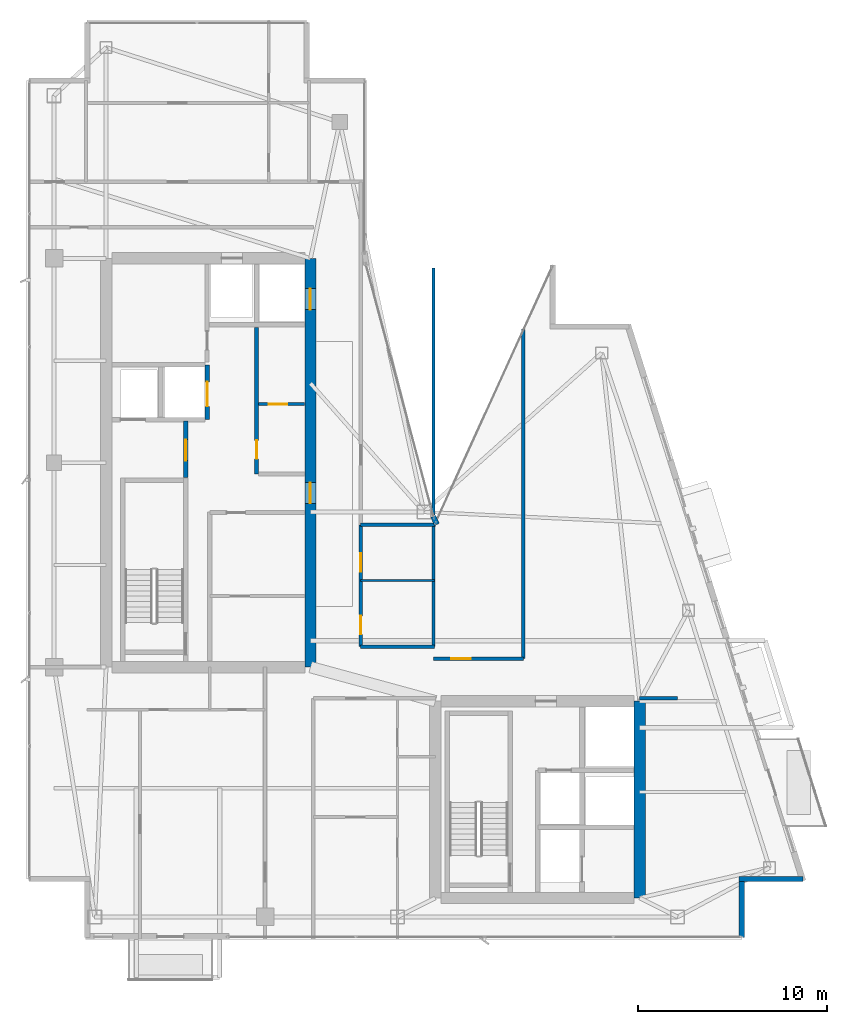
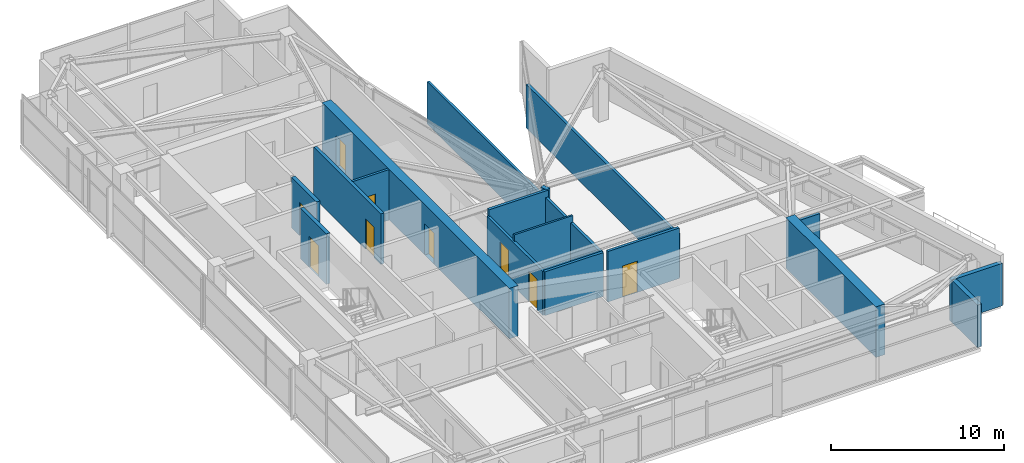
# One storey, part 23 of 27: 18 walls, 9 doors, 9 openings.
"""IFC4 building model written with IfcOpenShell, lengths in metres."""

from ifc_helpers import new_model, si_unit, direction, frame, frame_2d, origin, place, context, subcontext, project, spatial, rectangle, extrude, material, layer, layer_set, type_object, element, fill, save


model = new_model("IFC4")

# Units and contexts
model_context = context("Model", 3, precision=1e-05, world=origin(), true_north=direction((0.0, 1.0)))
body_context = subcontext(model_context, "Body", "Model", "MODEL_VIEW")
ifc_project = project(units=[si_unit("LENGTHUNIT", "METRE"), si_unit("AREAUNIT", "SQUARE_METRE"), si_unit("VOLUMEUNIT", "CUBIC_METRE"), si_unit("PLANEANGLEUNIT", "RADIAN"), si_unit("MASSUNIT", "GRAM", prefix="KILO")], contexts=[model_context])

# Site, building, storey
site_placement = place(None, origin())
site = spatial("IfcSite", under=ifc_project, at=site_placement, CompositionType="ELEMENT")
building_placement = place(site_placement, origin())
building = spatial("IfcBuilding", under=site, at=building_placement, Name="Calvorn Quay Hotel", CompositionType="ELEMENT")
storey_placement = place(building_placement, frame((0.0, 0.0, 291.10009765625)))
storey = spatial("IfcBuildingStorey", under=building, at=storey_placement, Name="L72", CompositionType="ELEMENT", Elevation=291.10009765625)

# Wall, openings, doors
ifc_material_1 = material(Name="Concrete C45", Category="concrete")
ifc_layer_1 = layer(ifc_material_1, 0.60009765625)
ifc_layer_set_1 = layer_set([ifc_layer_1], Name="WL-CORE-600")
wall_type_1 = type_object("IfcWallType", Name="WL-CORE-600", PredefinedType="SHEAR", material=ifc_layer_set_1)
wall_1_placement = place(storey_placement, frame((15.0, 16.800048828125, 0.0), z_axis=(0.0, 0.0, 1.0), x_axis=(0.0, 1.0, 0.0)))
wall_1 = element("IfcWall", 1, at=wall_1_placement, inside=storey, type_object=wall_type_1, Name="West Core Shear Wall E (L72)", PredefinedType="SHEAR", context=body_context, shape_type="SweptSolid", body=[
    extrude(rectangle(XDim=21.599853515625, YDim=0.60009765625, at=frame_2d((10.7998046875, 0.0))), origin(), (0.0, 0.0, 1.0), 3.559814453125),
])
opening_1_placement = place(wall_1_placement, frame((8.64990234375, 0.0, 0.0)))
opening_1 = element("IfcOpeningElement", 2, at=opening_1_placement, cuts=wall_1, Name="Opening D-L72-CW1", PredefinedType="OPENING", context=body_context, shape_type="SweptSolid", body=[
    extrude(rectangle(XDim=1.10009765625, YDim=2.199951171875, at=frame_2d((0.550048828125, 1.10009765625))), frame((0.0, 0.31005859375, 0.0), z_axis=(0.0, -1.0, 0.0), x_axis=(1.0, 0.0, 0.0)), (0.0, 0.0, 1.0), 0.6201171875),
])
opening_2_placement = place(wall_1_placement, frame((18.89990234375, 0.0, 0.0)))
opening_2 = element("IfcOpeningElement", 3, at=opening_2_placement, cuts=wall_1, Name="Opening LD-L72-H1", PredefinedType="OPENING", context=body_context, shape_type="SweptSolid", body=[
    extrude(rectangle(XDim=1.10009765625, YDim=2.199951171875, at=frame_2d((0.550048828125, 1.10009765625))), frame((0.0, 0.31005859375, 0.0), z_axis=(0.0, -1.0, 0.0), x_axis=(1.0, 0.0, 0.0)), (0.0, 0.0, 1.0), 0.6201171875),
])
ifc_material_2 = material(Name="Smoke-Sealed Steel Class A Fire Door", Category="steel")
door_type_1 = type_object("IfcDoorType", Name="DR-FFLOBBY-1100", OperationType="NOTDEFINED", PredefinedType="DOOR", material=ifc_material_2)
door_1_placement = place(opening_1_placement, origin())
door_1 = element("IfcDoor", 4, at=door_1_placement, inside=storey, type_object=door_type_1, Name="West Core Vestibule Fire Door (L72)", OperationType="SINGLE_SWING_LEFT", OverallHeight=2.199951171875, OverallWidth=1.10009765625, PredefinedType="DOOR", context=body_context, shape_type="SweptSolid", body=[
    extrude(rectangle(XDim=1.10009765625, YDim=2.199951171875, at=frame_2d((0.550048828125, 1.10009765625))), frame((0.0, 0.02490234375, 0.0), z_axis=(0.0, -1.0, 0.0), x_axis=(1.0, 0.0, 0.0)), (0.0, 0.0, 1.0), 0.050048828125),
])
fill(opening_1, door_1)
ifc_material_3 = material(Name="Brushed Stainless Steel Sliding Lift Landing Door", Category="steel")
door_type_2 = type_object("IfcDoorType", Name="DR-LIFT-PASS-1100", OperationType="NOTDEFINED", PredefinedType="DOOR", material=ifc_material_3)
door_2_placement = place(opening_2_placement, origin())
door_2 = element("IfcDoor", 5, at=door_2_placement, inside=storey, type_object=door_type_2, Name="High-Rise Lift PL-H1 Landing Door (L72)", OperationType="DOUBLE_DOOR_SLIDING", OverallHeight=2.199951171875, OverallWidth=1.10009765625, PredefinedType="DOOR", context=body_context, shape_type="SweptSolid", body=[
    extrude(rectangle(XDim=1.10009765625, YDim=2.199951171875, at=frame_2d((0.550048828125, 1.10009765625))), frame((0.0, 0.02490234375, 0.0), z_axis=(0.0, -1.0, 0.0), x_axis=(1.0, 0.0, 0.0)), (0.0, 0.0, 1.0), 0.050048828125),
])
fill(opening_2, door_2)

# Walls
wall_2_placement = place(storey_placement, frame((32.39990234375, 4.60009765625, 0.0), z_axis=(0.0, 0.0, 1.0), x_axis=(0.0, 1.0, 0.0)))
element("IfcWall", 6, at=wall_2_placement, inside=storey, type_object=wall_type_1, Name="East Core Shear Wall E (L72)", PredefinedType="SHEAR", context=body_context, shape_type="SweptSolid", body=[
    extrude(rectangle(XDim=10.39990234375, YDim=0.60009765625, at=frame_2d((5.199951171875, 0.0))), origin(), (0.0, 0.0, 1.0), 3.559814453125),
])
ifc_material_4 = material(Name="Acoustic Fireboard Steel-Stud Partition", Category="steel")
ifc_layer_2 = layer(ifc_material_4, 0.179931640625)
ifc_layer_set_2 = layer_set([ifc_layer_2], Name="WL-CORR-FIRE-180")
wall_type_2 = type_object("IfcWallType", Name="WL-CORR-FIRE-180", PredefinedType="PARTITIONING", material=ifc_layer_set_2)
wall_3_placement = place(storey_placement, frame((17.64990234375, 17.8798828125, 0.0), z_axis=(0.0, 0.0, 1.0), x_axis=(1.0, 0.0, 0.0)))
element("IfcWall", 7, at=wall_3_placement, inside=storey, type_object=wall_type_2, Name="Partition Wall L72-WL-HK-S", PredefinedType="PARTITIONING", context=body_context, shape_type="SweptSolid", body=[
    extrude(rectangle(XDim=3.900146484375, YDim=0.179931640625, at=frame_2d((1.9501953125, 0.0))), origin(), (0.0, 0.0, 1.0), 3.08984375),
])
wall_4_placement = place(storey_placement, frame((17.64990234375, 24.320068359375, 0.0), z_axis=(0.0, 0.0, 1.0), x_axis=(1.0, 0.0, 0.0)))
element("IfcWall", 8, at=wall_4_placement, inside=storey, type_object=wall_type_2, Name="Partition Wall L72-WL-HK-N", PredefinedType="PARTITIONING", context=body_context, shape_type="SweptSolid", body=[
    extrude(rectangle(XDim=3.9501953125, YDim=0.179931640625, at=frame_2d((1.97509765625, 0.0))), origin(), (0.0, 0.0, 1.0), 3.559814453125),
])
wall_5_placement = place(storey_placement, frame((21.5, 17.8798828125, 0.0), z_axis=(0.0, 0.0, 1.0), x_axis=(0.0, 1.0, 0.0)))
element("IfcWall", 9, at=wall_5_placement, inside=storey, type_object=wall_type_2, Name="Partition Wall L72-WL-HK-E", PredefinedType="PARTITIONING", context=body_context, shape_type="SweptSolid", body=[
    extrude(rectangle(XDim=6.440185546875, YDim=0.179931640625, at=frame_2d((3.22021484375, 0.0))), origin(), (0.0, 0.0, 1.0), 3.08984375),
])

# Wall, openings, doors
wall_6_placement = place(storey_placement, frame((17.64990234375, 17.8798828125, 0.0), z_axis=(0.0, 0.0, 1.0), x_axis=(0.0, 1.0, 0.0)))
wall_6 = element("IfcWall", 10, at=wall_6_placement, inside=storey, type_object=wall_type_2, Name="Partition Wall L72-WL-HK-W", PredefinedType="PARTITIONING", context=body_context, shape_type="SweptSolid", body=[
    extrude(rectangle(XDim=6.440185546875, YDim=0.179931640625, at=frame_2d((3.22021484375, 0.0))), origin(), (0.0, 0.0, 1.0), 3.08984375),
])
opening_3_placement = place(wall_6_placement, frame((0.64990234375, 0.0, 0.0)))
opening_3 = element("IfcOpeningElement", 11, at=opening_3_placement, cuts=wall_6, Name="Opening D-L72-HK", PredefinedType="OPENING", context=body_context, shape_type="SweptSolid", body=[
    extrude(rectangle(XDim=0.97998046875, YDim=2.14990234375, at=frame_2d((0.489990234375, 1.074951171875))), frame((0.0, 0.099853515625, 0.0), z_axis=(0.0, -1.0, 0.0), x_axis=(1.0, 0.0, 0.0)), (0.0, 0.0, 1.0), 0.199951171875),
])
opening_4_placement = place(wall_6_placement, frame((3.969970703125, 0.0, 0.0)))
opening_4 = element("IfcOpeningElement", 12, at=opening_4_placement, cuts=wall_6, Name="Opening D-L72-NCP", PredefinedType="OPENING", context=body_context, shape_type="SweptSolid", body=[
    extrude(rectangle(XDim=0.9599609375, YDim=2.199951171875, at=frame_2d((0.47998046875, 1.10009765625))), frame((0.0, 0.099853515625, 0.0), z_axis=(0.0, -1.0, 0.0), x_axis=(1.0, 0.0, 0.0)), (0.0, 0.0, 1.0), 0.199951171875),
])
ifc_material_5 = material(Name="Painted Steel Housekeeping/Riser Fire Door", Category="steel")
door_type_3 = type_object("IfcDoorType", Name="DR-SERVICE-980", OperationType="NOTDEFINED", PredefinedType="DOOR", material=ifc_material_5)
door_3_placement = place(opening_3_placement, origin())
door_3 = element("IfcDoor", 13, at=door_3_placement, inside=storey, type_object=door_type_3, Name="Floor Housekeeping Door (L72)", OperationType="SINGLE_SWING_LEFT", OverallHeight=2.14990234375, OverallWidth=0.97998046875, PredefinedType="DOOR", context=body_context, shape_type="SweptSolid", body=[
    extrude(rectangle(XDim=0.97998046875, YDim=2.14990234375, at=frame_2d((0.489990234375, 1.074951171875))), frame((0.0, 0.02490234375, 0.0), z_axis=(0.0, -1.0, 0.0), x_axis=(1.0, 0.0, 0.0)), (0.0, 0.0, 1.0), 0.050048828125),
])
fill(opening_3, door_3)
ifc_material_6 = material(Name="Solid Timber Internal Suite Door", Category="wood")
door_type_4 = type_object("IfcDoorType", Name="DR-SUITE-INT-960", OperationType="NOTDEFINED", PredefinedType="DOOR", material=ifc_material_6)
door_4_placement = place(opening_4_placement, origin())
door_4 = element("IfcDoor", 14, at=door_4_placement, inside=storey, type_object=door_type_4, Name="Reading Alcove Door (L72)", OperationType="SINGLE_SWING_RIGHT", OverallHeight=2.199951171875, OverallWidth=0.9599609375, PredefinedType="DOOR", context=body_context, shape_type="SweptSolid", body=[
    extrude(rectangle(XDim=0.9599609375, YDim=2.199951171875, at=frame_2d((0.47998046875, 1.10009765625))), frame((0.0, 0.02490234375, 0.0), z_axis=(0.0, -1.0, 0.0), x_axis=(1.0, 0.0, 0.0)), (0.0, 0.0, 1.0), 0.050048828125),
])
fill(opening_4, door_4)

# Wall
wall_7_placement = place(storey_placement, frame((32.39990234375, 15.14990234375, 0.0), z_axis=(0.0, 0.0, 1.0), x_axis=(1.0, 0.0, 0.0)))
element("IfcWall", 15, at=wall_7_placement, inside=storey, type_object=wall_type_2, Name="Partition Wall L72-WL-CORR-SE-S", PredefinedType="PARTITIONING", context=body_context, shape_type="SweptSolid", body=[
    extrude(rectangle(XDim=2.0, YDim=0.179931640625, at=frame_2d((1.0, 0.0))), origin(), (0.0, 0.0, 1.0), 2.989990234375),
])

# Wall, opening, door
wall_8_placement = place(storey_placement, frame((21.5, 17.25, 0.0), z_axis=(0.0, 0.0, 1.0), x_axis=(1.0, 0.0, 0.0)))
wall_8 = element("IfcWall", 16, at=wall_8_placement, inside=storey, type_object=wall_type_2, Name="Partition Wall L72-WL-CORR-NE-N", PredefinedType="PARTITIONING", context=body_context, shape_type="SweptSolid", body=[
    extrude(rectangle(XDim=4.75, YDim=0.179931640625, at=frame_2d((2.375, 0.0))), origin(), (0.0, 0.0, 1.0), 3.559814453125),
])
opening_5_placement = place(wall_8_placement, frame((0.949951171875, 0.0, 0.0)))
opening_5 = element("IfcOpeningElement", 17, at=opening_5_placement, cuts=wall_8, Name="Opening D-L72-NS1", PredefinedType="OPENING", context=body_context, shape_type="SweptSolid", body=[
    extrude(rectangle(XDim=1.02001953125, YDim=2.199951171875, at=frame_2d((0.510009765625, 1.10009765625))), frame((0.0, 0.099853515625, 0.0), z_axis=(0.0, -1.0, 0.0), x_axis=(1.0, 0.0, 0.0)), (0.0, 0.0, 1.0), 0.199951171875),
])
ifc_material_7 = material(Name="Solid-Core Walnut Veneer Hotel Fire Door")
door_type_5 = type_object("IfcDoorType", Name="DR-GUEST-ENTRY-1020", OperationType="NOTDEFINED", PredefinedType="DOOR", material=ifc_material_7)
door_5_placement = place(opening_5_placement, origin())
door_5 = element("IfcDoor", 18, at=door_5_placement, inside=storey, type_object=door_type_5, Name="Conservatory Salon Door 1 (L72)", OperationType="SINGLE_SWING_RIGHT", OverallHeight=2.199951171875, OverallWidth=1.02001953125, PredefinedType="DOOR", context=body_context, shape_type="SweptSolid", body=[
    extrude(rectangle(XDim=1.02001953125, YDim=2.199951171875, at=frame_2d((0.510009765625, 1.10009765625))), frame((0.0, 0.02490234375, 0.0), z_axis=(0.0, -1.0, 0.0), x_axis=(1.0, 0.0, 0.0)), (0.0, 0.0, 1.0), 0.050048828125),
])
fill(opening_5, door_5)

# Walls
wall_9_placement = place(storey_placement, frame((26.25, 17.25, 0.0), z_axis=(0.0, 0.0, 1.0), x_axis=(0.0, 1.0, 0.0)))
element("IfcWall", 19, at=wall_9_placement, inside=storey, type_object=wall_type_2, Name="Partition Wall L72-WL-NE-END-E", PredefinedType="PARTITIONING", context=body_context, shape_type="SweptSolid", body=[
    extrude(rectangle(XDim=17.429931640625, YDim=0.179931640625, at=frame_2d((8.71484375, 0.0))), origin(), (0.0, 0.0, 1.0), 3.08984375),
])
ifc_material_8 = material(Name="Moisture-Resistant Tile-Backed Partition")
ifc_layer_3 = layer(ifc_material_8, 0.125)
ifc_layer_set_3 = layer_set([ifc_layer_3], Name="WL-ENSUITE-125")
wall_type_3 = type_object("IfcWallType", Name="WL-ENSUITE-125", PredefinedType="PARTITIONING", material=ifc_layer_set_3)
wall_10_placement = place(storey_placement, frame((17.64990234375, 21.3798828125, 0.0), z_axis=(0.0, 0.0, 1.0), x_axis=(1.0, 0.0, 0.0)))
element("IfcWall", 20, at=wall_10_placement, inside=storey, type_object=wall_type_3, Name="Partition Wall L72-WL-HK-M", PredefinedType="PARTITIONING", context=body_context, shape_type="SweptSolid", body=[
    extrude(rectangle(XDim=3.900146484375, YDim=0.125, at=frame_2d((1.9501953125, 0.0))), origin(), (0.0, 0.0, 1.0), 3.559814453125),
])
ifc_material_9 = material(Name="Concrete C40", Category="concrete")
ifc_layer_4 = layer(ifc_material_9, 0.320068359375)
ifc_layer_set_4 = layer_set([ifc_layer_4], Name="WL-EXT-SPANDREL-320")
wall_type_4 = type_object("IfcWallType", Name="WL-EXT-SPANDREL-320", PredefinedType="SOLIDWALL", material=ifc_layer_set_4)
wall_11_placement = place(storey_placement, frame((21.679931640625, 24.340087890625, 0.0), z_axis=(0.0, 0.0, 1.0), x_axis=(-0.40758134973, 0.913168901875, 0.0)))
element("IfcWall", 21, at=wall_11_placement, inside=storey, type_object=wall_type_4, Name="Inner Court Corner Pier L72-ICJ1", PredefinedType="SOLIDWALL", context=body_context, shape_type="SweptSolid", body=[
    extrude(rectangle(XDim=0.470703125, YDim=0.280029296875, at=frame_2d((0.2353515625, 0.0))), origin(), (0.0, 0.0, 1.0), 3.559814453125),
])
wall_12_placement = place(storey_placement, frame((37.800048828125, 2.52001953125, 0.0), z_axis=(0.0, 0.0, 1.0), x_axis=(0.0, 1.0, 0.0)))
element("IfcWall", 22, at=wall_12_placement, inside=storey, type_object=wall_type_4, Name="Notched Corner Spandrel L72-SE1", PredefinedType="SOLIDWALL", context=body_context, shape_type="SweptSolid", body=[
    extrude(rectangle(XDim=2.93994140625, YDim=0.280029296875, at=frame_2d((1.469970703125, 0.0))), origin(), (0.0, 0.0, 1.0), 2.989990234375),
])
wall_13_placement = place(storey_placement, frame((37.659912109375, 5.60009765625, 0.0), z_axis=(0.0, 0.0, 1.0), x_axis=(1.0, 0.0, 0.0)))
element("IfcWall", 23, at=wall_13_placement, inside=storey, type_object=wall_type_4, Name="Notched Corner Spandrel L72-SE2", PredefinedType="SOLIDWALL", context=body_context, shape_type="SweptSolid", body=[
    extrude(rectangle(XDim=3.380126953125, YDim=0.280029296875, at=frame_2d((1.68994140625, 0.0))), origin(), (0.0, 0.0, 1.0), 2.989990234375),
])

# Wall, opening, door
ifc_material_10 = material(Name="Double-Stud Acoustic Gypsum Partition")
ifc_layer_5 = layer(ifc_material_10, 0.159912109375)
ifc_layer_set_5 = layer_set([ifc_layer_5], Name="WL-INTERSUITE-160")
wall_type_5 = type_object("IfcWallType", Name="WL-INTERSUITE-160", PredefinedType="PARTITIONING", material=ifc_layer_set_5)
wall_14_placement = place(storey_placement, frame((12.25, 30.699951171875, 0.0), z_axis=(0.0, 0.0, 1.0), x_axis=(1.0, 0.0, 0.0)))
wall_14 = element("IfcWall", 24, at=wall_14_placement, inside=storey, type_object=wall_type_5, Name="Partition Wall L72-WL-CWW-FM-SPLIT", PredefinedType="PARTITIONING", context=body_context, shape_type="SweptSolid", body=[
    extrude(rectangle(XDim=2.429931640625, YDim=0.159912109375, at=frame_2d((1.21484375, 0.0))), origin(), (0.0, 0.0, 1.0), 3.559814453125),
])
opening_6_placement = place(wall_14_placement, frame((0.550048828125, 0.0, 0.0)))
opening_6 = element("IfcOpeningElement", 25, at=opening_6_placement, cuts=wall_14, Name="Opening D-L72-FM2", PredefinedType="OPENING", context=body_context, shape_type="SweptSolid", body=[
    extrude(rectangle(XDim=0.97998046875, YDim=2.14990234375, at=frame_2d((0.489990234375, 1.074951171875))), frame((0.0, 0.08984375, 0.0), z_axis=(0.0, -1.0, 0.0), x_axis=(1.0, 0.0, 0.0)), (0.0, 0.0, 1.0), 0.179931640625),
])
door_6_placement = place(opening_6_placement, origin())
door_6 = element("IfcDoor", 26, at=door_6_placement, inside=storey, type_object=door_type_3, Name="Comms Room Door (L72)", OperationType="SINGLE_SWING_LEFT", OverallHeight=2.14990234375, OverallWidth=0.97998046875, PredefinedType="DOOR", context=body_context, shape_type="SweptSolid", body=[
    extrude(rectangle(XDim=0.97998046875, YDim=2.14990234375, at=frame_2d((0.489990234375, 1.074951171875))), frame((0.0, 0.02490234375, 0.0), z_axis=(0.0, -1.0, 0.0), x_axis=(1.0, 0.0, 0.0)), (0.0, 0.0, 1.0), 0.050048828125),
])
fill(opening_6, door_6)

# Wall
wall_15_placement = place(storey_placement, frame((21.5, 24.85009765625, 0.0), z_axis=(0.0, 0.0, 1.0), x_axis=(0.0, 1.0, 0.0)))
element("IfcWall", 27, at=wall_15_placement, inside=storey, type_object=wall_type_5, Name="Partition Wall L72-WL-NC-UPPER-E", PredefinedType="PARTITIONING", context=body_context, shape_type="SweptSolid", body=[
    extrude(rectangle(XDim=13.0498046875, YDim=0.159912109375, at=frame_2d((6.52490234375, 0.0))), origin(), (0.0, 0.0, 1.0), 2.989990234375),
])

# Wall, opening, door
ifc_material_11 = material(Name="Autoclaved Aerated Masonry Block", Category="masonry")
ifc_layer_6 = layer(ifc_material_11, 0.219970703125)
ifc_layer_set_6 = layer_set([ifc_layer_6], Name="WL-LOBBY-FIRE-220")
wall_type_6 = type_object("IfcWallType", Name="WL-LOBBY-FIRE-220", PredefinedType="SOLIDWALL", material=ifc_layer_set_6)
wall_16_placement = place(storey_placement, frame((12.14990234375, 27.0, 0.0), z_axis=(0.0, 0.0, 1.0), x_axis=(0.0, 1.0, 0.0)))
wall_16 = element("IfcWall", 28, at=wall_16_placement, inside=storey, type_object=wall_type_6, Name="Partition Wall L72-WL-CWW-FM-W", PredefinedType="SOLIDWALL", context=body_context, shape_type="SweptSolid", body=[
    extrude(rectangle(XDim=7.75, YDim=0.219970703125, at=frame_2d((3.875, 0.0))), origin(), (0.0, 0.0, 1.0), 3.559814453125),
])
opening_7_placement = place(wall_16_placement, frame((0.800048828125, 0.0, 0.0)))
opening_7 = element("IfcOpeningElement", 29, at=opening_7_placement, cuts=wall_16, Name="Opening D-L72-FM1", PredefinedType="OPENING", context=body_context, shape_type="SweptSolid", body=[
    extrude(rectangle(XDim=0.97998046875, YDim=2.14990234375, at=frame_2d((0.489990234375, 1.074951171875))), frame((0.0, 0.119873046875, 0.0), z_axis=(0.0, -1.0, 0.0), x_axis=(1.0, 0.0, 0.0)), (0.0, 0.0, 1.0), 0.239990234375),
])
door_7_placement = place(opening_7_placement, origin())
door_7 = element("IfcDoor", 30, at=door_7_placement, inside=storey, type_object=door_type_3, Name="Butler Pantry Door (L72)", OperationType="SINGLE_SWING_RIGHT", OverallHeight=2.14990234375, OverallWidth=0.97998046875, PredefinedType="DOOR", context=body_context, shape_type="SweptSolid", body=[
    extrude(rectangle(XDim=0.97998046875, YDim=2.14990234375, at=frame_2d((0.489990234375, 1.074951171875))), frame((0.0, 0.02490234375, 0.0), z_axis=(0.0, -1.0, 0.0), x_axis=(1.0, 0.0, 0.0)), (0.0, 0.0, 1.0), 0.050048828125),
])
fill(opening_7, door_7)

ifc_material_12 = material(Name="Concrete C40", Category="concrete")
ifc_layer_7 = layer(ifc_material_12, 0.239990234375)
ifc_layer_set_7 = layer_set([ifc_layer_7], Name="WL-SHAFT-240")
wall_type_7 = type_object("IfcWallType", Name="WL-SHAFT-240", PredefinedType="SOLIDWALL", material=ifc_layer_set_7)
wall_17_placement = place(storey_placement, frame((8.419921875, 26.820068359375, 0.0), z_axis=(0.0, 0.0, 1.0), x_axis=(0.0, 1.0, 0.0)))
wall_17 = element("IfcWall", 31, at=wall_17_placement, inside=storey, type_object=wall_type_7, Name="Partition Wall L72-WL-CWW-FFL-E", PredefinedType="SOLIDWALL", context=body_context, shape_type="SweptSolid", body=[
    extrude(rectangle(XDim=3.0, YDim=0.239990234375, at=frame_2d((1.5, 0.0))), origin(), (0.0, 0.0, 1.0), 3.559814453125),
])
opening_8_placement = place(wall_17_placement, frame((0.89990234375, 0.0, 0.0)))
opening_8 = element("IfcOpeningElement", 32, at=opening_8_placement, cuts=wall_17, Name="Opening D-L72-FLW", PredefinedType="OPENING", context=body_context, shape_type="SweptSolid", body=[
    extrude(rectangle(XDim=1.10009765625, YDim=2.199951171875, at=frame_2d((0.550048828125, 1.10009765625))), frame((0.0, 0.1298828125, 0.0), z_axis=(0.0, -1.0, 0.0), x_axis=(1.0, 0.0, 0.0)), (0.0, 0.0, 1.0), 0.260009765625),
])
door_8_placement = place(opening_8_placement, origin())
door_8 = element("IfcDoor", 33, at=door_8_placement, inside=storey, type_object=door_type_1, Name="West Firefighting Lobby Fire Door (L72)", OperationType="SINGLE_SWING_RIGHT", OverallHeight=2.199951171875, OverallWidth=1.10009765625, PredefinedType="DOOR", context=body_context, shape_type="SweptSolid", body=[
    extrude(rectangle(XDim=1.10009765625, YDim=2.199951171875, at=frame_2d((0.550048828125, 1.10009765625))), frame((0.0, 0.02490234375, 0.0), z_axis=(0.0, -1.0, 0.0), x_axis=(1.0, 0.0, 0.0)), (0.0, 0.0, 1.0), 0.050048828125),
])
fill(opening_8, door_8)

wall_18_placement = place(storey_placement, frame((9.5400390625, 29.8798828125, 0.0), z_axis=(0.0, 0.0, 1.0), x_axis=(0.0, 1.0, 0.0)))
wall_18 = element("IfcWall", 34, at=wall_18_placement, inside=storey, type_object=wall_type_7, Name="Partition Wall L72-WL-CWW-SLW-E", PredefinedType="SOLIDWALL", context=body_context, shape_type="SweptSolid", body=[
    extrude(rectangle(XDim=2.900146484375, YDim=0.239990234375, at=frame_2d((1.4501953125, 0.0))), origin(), (0.0, 0.0, 1.0), 3.559814453125),
])
opening_9_placement = place(wall_18_placement, frame((0.699951171875, 0.0, 0.0)))
opening_9 = element("IfcOpeningElement", 35, at=opening_9_placement, cuts=wall_18, Name="Opening LD-L72-SLW1", PredefinedType="OPENING", context=body_context, shape_type="SweptSolid", body=[
    extrude(rectangle(XDim=1.300048828125, YDim=2.35009765625, at=frame_2d((0.64990234375, 1.175048828125))), frame((0.0, 0.1298828125, 0.0), z_axis=(0.0, -1.0, 0.0), x_axis=(1.0, 0.0, 0.0)), (0.0, 0.0, 1.0), 0.260009765625),
])
ifc_material_13 = material(Name="Champagne-Bronze Sliding Express Lift Landing Door")
door_type_6 = type_object("IfcDoorType", Name="DR-LIFT-SHUTTLE-1300", OperationType="NOTDEFINED", PredefinedType="DOOR", material=ifc_material_13)
door_9_placement = place(opening_9_placement, origin())
door_9 = element("IfcDoor", 36, at=door_9_placement, inside=storey, type_object=door_type_6, Name="Service Lift SL-W1 Landing Door (L72)", OperationType="DOUBLE_DOOR_SLIDING", OverallHeight=2.35009765625, OverallWidth=1.300048828125, PredefinedType="DOOR", context=body_context, shape_type="SweptSolid", body=[
    extrude(rectangle(XDim=1.300048828125, YDim=2.35009765625, at=frame_2d((0.64990234375, 1.175048828125))), frame((0.0, 0.02490234375, 0.0), z_axis=(0.0, -1.0, 0.0), x_axis=(1.0, 0.0, 0.0)), (0.0, 0.0, 1.0), 0.050048828125),
])
fill(opening_9, door_9)

save(model, "model.ifc")
